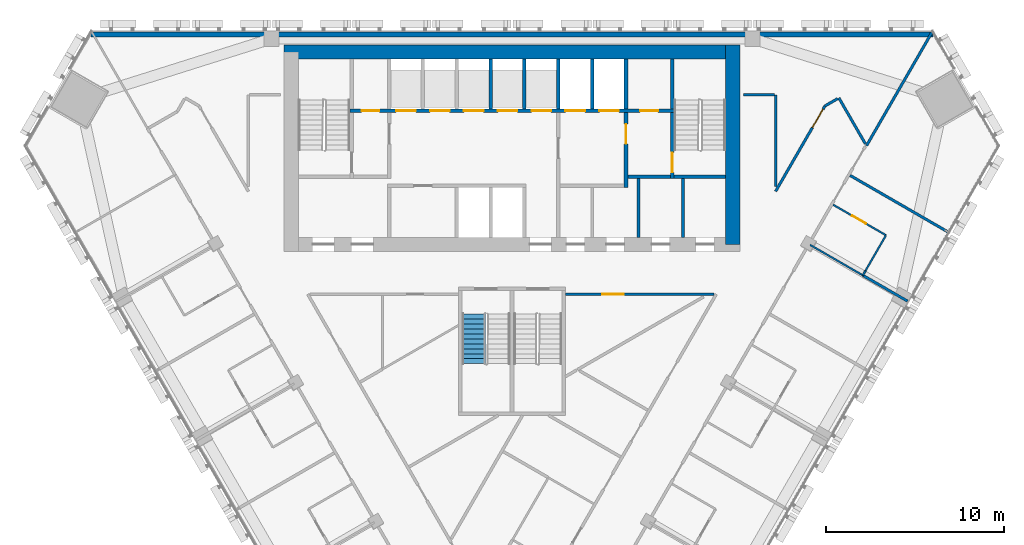
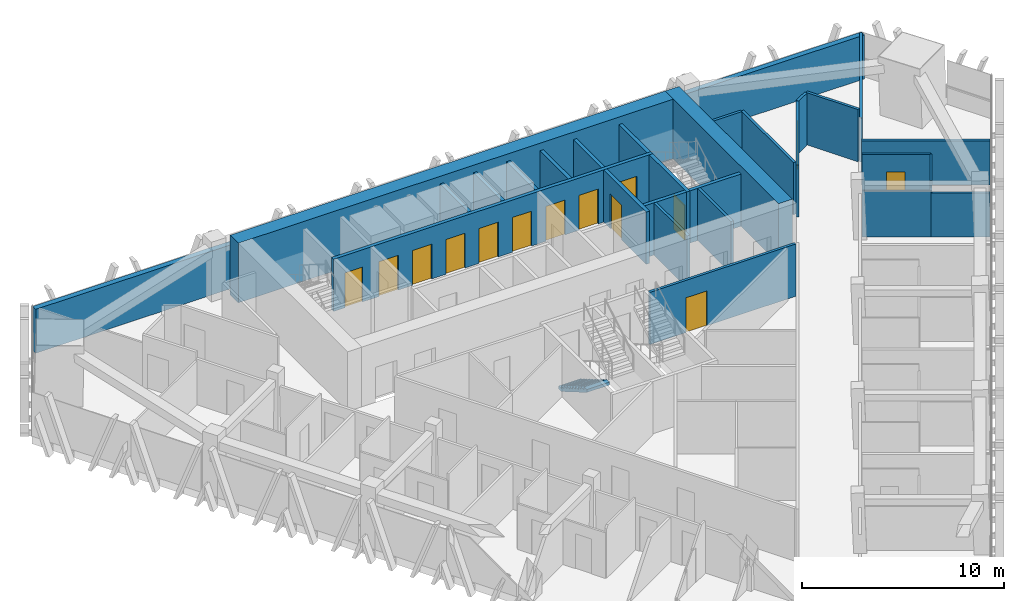
# One storey, part 12 of 16: 29 walls, 14 doors, 1 stair flight, 14 openings, 1 element without a shape of its own.
"""IFC4 building model written with IfcOpenShell, lengths in metres."""

from ifc_helpers import new_model, si_unit, direction, frame, frame_2d, origin, place, context, subcontext, project, spatial, polyline, rectangle, outline, extrude, material, layer, layer_set, type_object, element, fill, aggregate, save


model = new_model("IFC4")

# Units and contexts
model_context = context("Model", 3, precision=1e-05, world=origin(), true_north=direction((0.0, 1.0)))
body_context = subcontext(model_context, "Body", "Model", "MODEL_VIEW")
ifc_project = project(units=[si_unit("LENGTHUNIT", "METRE"), si_unit("AREAUNIT", "SQUARE_METRE"), si_unit("VOLUMEUNIT", "CUBIC_METRE"), si_unit("PLANEANGLEUNIT", "RADIAN"), si_unit("MASSUNIT", "GRAM", prefix="KILO")], contexts=[model_context])

# Site, building, storey
site_placement = place(None, origin())
site = spatial("IfcSite", under=ifc_project, at=site_placement, CompositionType="ELEMENT")
building_placement = place(site_placement, origin())
building = spatial("IfcBuilding", under=site, at=building_placement, Name="Altiplano Prism Tower", CompositionType="ELEMENT")
storey_placement = place(building_placement, frame((0.0, 0.0, 145.800048828125)))
storey = spatial("IfcBuildingStorey", under=building, at=storey_placement, Name="L37", CompositionType="ELEMENT", Elevation=145.800048828125)

# Walls
ifc_material_1 = material(Name="Concrete C60/75", Category="concrete")
ifc_layer_1 = layer(ifc_material_1, 0.800048828125)
ifc_layer_set_1 = layer_set([ifc_layer_1], Name="Concrete C60/75")
wall_type_1 = type_object("IfcWallType", Name="Core wall 800", PredefinedType="SHEAR", material=ifc_layer_set_1)
wall_1_placement = place(storey_placement, frame((97.39990234375, 93.0, 0.0), z_axis=(0.0, 0.0, 1.0), x_axis=(0.0, 1.0, 0.0)))
element("IfcWall", 1, at=wall_1_placement, inside=storey, type_object=wall_type_1, Name="Core wall E L37", PredefinedType="SHEAR", context=body_context, shape_type="SweptSolid", body=[
    extrude(rectangle(XDim=11.199951171875, YDim=0.800048828125, at=frame_2d((5.60009765625, 0.0))), origin(), (0.0, 0.0, 1.0), 3.599853515625),
])
wall_2_placement = place(storey_placement, frame((97.39990234375, 103.800048828125, 0.0), z_axis=(0.0, 0.0, 1.0), x_axis=(-1.0, 0.0, 0.0)))
element("IfcWall", 2, at=wall_2_placement, inside=storey, type_object=wall_type_1, Name="Core wall N L37", PredefinedType="SHEAR", context=body_context, shape_type="SweptSolid", body=[
    extrude(rectangle(XDim=25.199951171875, YDim=0.800048828125, at=frame_2d((12.60009765625, 0.0))), origin(), (0.0, 0.0, 1.0), 3.599853515625),
])

# Wall, opening, door
ifc_material_2 = material(Name="Plasterboard on steel stud", Category="steel")
ifc_layer_2 = layer(ifc_material_2, 0.10009765625)
ifc_layer_set_2 = layer_set([ifc_layer_2], Name="Plasterboard on steel stud")
wall_type_2 = type_object("IfcWallType", Name="Partition 100 unit", PredefinedType="PARTITIONING", material=ifc_layer_set_2)
wall_3_placement = place(storey_placement, frame((103.03271484375, 95.2275390625, 0.0), z_axis=(0.0, 0.0, 1.0), x_axis=(0.866032454348, -0.499987787867, 0.0)))
wall_3 = element("IfcWall", 3, at=wall_3_placement, inside=storey, type_object=wall_type_2, Name="Partition P02 L37 073", PredefinedType="PARTITIONING", context=body_context, shape_type="SweptSolid", body=[
    extrude(rectangle(XDim=3.4248046875, YDim=0.10009765625, at=frame_2d((1.71240234375, 0.0))), origin(), (0.0, 0.0, 1.0), 3.14990234375),
])
opening_1_placement = place(wall_3_placement, frame((1.22509765625, 0.0, 0.0)))
opening_1 = element("IfcOpeningElement", 4, at=opening_1_placement, cuts=wall_3, Name="Opening D1365", PredefinedType="OPENING", context=body_context, shape_type="SweptSolid", body=[
    extrude(rectangle(XDim=0.89990234375, YDim=2.10009765625, at=frame_2d((0.449951171875, 1.050048828125))), frame((0.0, 0.060546875, 0.0), z_axis=(0.0, -1.0, 0.0), x_axis=(1.0, 0.0, 0.0)), (0.0, 0.0, 1.0), 0.12109375),
])
ifc_material_3 = material(Name="Timber", Category="wood")
door_type_1 = type_object("IfcDoorType", Name="Accessible ensuite door 900 x 2100", OperationType="NOTDEFINED", PredefinedType="NOTDEFINED", material=ifc_material_3)
door_1_placement = place(opening_1_placement, origin())
door_1 = element("IfcDoor", 5, at=door_1_placement, inside=storey, type_object=door_type_1, Name="Door D1365", OperationType="SINGLE_SWING_RIGHT", OverallHeight=2.10009765625, OverallWidth=0.89990234375, PredefinedType="NOTDEFINED", context=body_context, shape_type="SweptSolid", body=[
    extrude(rectangle(XDim=0.89990234375, YDim=2.10009765625, at=frame_2d((0.449951171875, 1.050048828125))), frame((0.0, 0.02490234375, 0.0), z_axis=(0.0, -1.0, 0.0), x_axis=(1.0, 0.0, 0.0)), (0.0, 0.0, 1.0), 0.050048828125),
])
fill(opening_1, door_1)

# Walls
wall_4_placement = place(storey_placement, frame((105.998779296875, 93.51513671875, 0.0), z_axis=(0.0, 0.0, 1.0), x_axis=(-0.499952165731, -0.866053019151, 0.0)))
element("IfcWall", 6, at=wall_4_placement, inside=storey, type_object=wall_type_2, Name="Partition P02 L37 074", PredefinedType="PARTITIONING", context=body_context, shape_type="SweptSolid", body=[
    extrude(rectangle(XDim=2.300048828125, YDim=0.10009765625, at=frame_2d((1.14990234375, 0.0))), origin(), (0.0, 0.0, 1.0), 3.14990234375),
])
wall_5_placement = place(storey_placement, frame((104.848876953125, 91.523193359375, 0.0), z_axis=(0.0, 0.0, 1.0), x_axis=(-0.500426713919, -0.865778900179, 0.0)))
element("IfcWall", 7, at=wall_5_placement, inside=storey, type_object=wall_type_2, Name="Partition P02 L37 075", PredefinedType="PARTITIONING", context=body_context, shape_type="SweptSolid", body=[
    extrude(rectangle(XDim=0.300048828125, YDim=0.10009765625, at=frame_2d((0.14990234375, 0.0))), origin(), (0.0, 0.0, 1.0), 2.75),
])
ifc_layer_3 = layer(ifc_material_2, 0.10009765625)
ifc_layer_set_3 = layer_set([ifc_layer_3], Name="Plasterboard on steel stud")
wall_type_3 = type_object("IfcWallType", Name="Partition 100 wet", PredefinedType="PARTITIONING", material=ifc_layer_set_3)
wall_6_placement = place(storey_placement, frame((104.69873046875, 91.263427734375, 0.0), z_axis=(0.0, 0.0, 1.0), x_axis=(-0.866032454348, 0.499987787867, 0.0)))
element("IfcWall", 8, at=wall_6_placement, inside=storey, type_object=wall_type_3, Name="Partition P03 L37 072", PredefinedType="PARTITIONING", context=body_context, shape_type="SweptSolid", body=[
    extrude(rectangle(XDim=3.4248046875, YDim=0.10009765625, at=frame_2d((1.71240234375, 0.0))), origin(), (0.0, 0.0, 1.0), 2.75),
])
ifc_layer_4 = layer(ifc_material_2, 0.14990234375)
ifc_layer_set_4 = layer_set([ifc_layer_4], Name="Plasterboard on steel stud")
wall_type_4 = type_object("IfcWallType", Name="Partition 150 corridor", PredefinedType="PARTITIONING", material=ifc_layer_set_4)
wall_7_placement = place(storey_placement, frame((104.8388671875, 98.65185546875, 0.0), z_axis=(0.0, 0.0, 1.0), x_axis=(-0.500002315714, 0.866024066802, 0.0)))
element("IfcWall", 9, at=wall_7_placement, inside=storey, type_object=wall_type_4, Name="Partition P06 L37 007", PredefinedType="PARTITIONING", context=body_context, shape_type="SweptSolid", body=[
    extrude(rectangle(XDim=2.97021484375, YDim=0.14990234375, at=frame_2d((1.485107421875, 0.0))), origin(), (0.0, 0.0, 1.0), 3.14990234375),
])
wall_8_placement = place(storey_placement, frame((103.288818359375, 101.1865234375, 0.0), z_axis=(0.0, 0.0, 1.0), x_axis=(-0.866019930389, -0.500009480079, 0.0)))
element("IfcWall", 10, at=wall_8_placement, inside=storey, type_object=wall_type_4, Name="Partition P06 L37 008", PredefinedType="PARTITIONING", context=body_context, shape_type="SweptSolid", body=[
    extrude(rectangle(XDim=0.83447265625, YDim=0.14990234375, at=frame_2d((0.417236328125, 0.0))), origin(), (0.0, 0.0, 1.0), 3.14990234375),
])

# Wall, opening, door
wall_9_placement = place(storey_placement, frame((102.566162109375, 100.769287109375, 0.0), z_axis=(0.0, 0.0, 1.0), x_axis=(-0.500002592159, -0.866023907196, 0.0)))
wall_9 = element("IfcWall", 11, at=wall_9_placement, inside=storey, type_object=wall_type_4, Name="Partition P06 L37 009", PredefinedType="PARTITIONING", context=body_context, shape_type="SweptSolid", body=[
    extrude(rectangle(XDim=5.5322265625, YDim=0.14990234375, at=frame_2d((2.76611328125, 0.0))), origin(), (0.0, 0.0, 1.0), 3.14990234375),
])
opening_2_placement = place(wall_9_placement, frame((0.199951171875, 0.0, 0.0)))
opening_2 = element("IfcOpeningElement", 12, at=opening_2_placement, cuts=wall_9, Name="Opening D1367", PredefinedType="OPENING", context=body_context, shape_type="SweptSolid", body=[
    extrude(rectangle(XDim=1.199951171875, YDim=2.10009765625, at=frame_2d((0.60009765625, 1.050048828125))), frame((0.0, 0.08544921875, 0.0), z_axis=(0.0, -1.0, 0.0), x_axis=(1.0, 0.0, 0.0)), (0.0, 0.0, 1.0), 0.1708984375),
])
door_type_2 = type_object("IfcDoorType", Name="Shared room door 1200 x 2100", OperationType="NOTDEFINED", PredefinedType="NOTDEFINED", material=ifc_material_3)
door_2_placement = place(opening_2_placement, origin())
door_2 = element("IfcDoor", 13, at=door_2_placement, inside=storey, type_object=door_type_2, Name="Door D1367", OperationType="SINGLE_SWING_RIGHT", OverallHeight=2.10009765625, OverallWidth=1.199951171875, PredefinedType="NOTDEFINED", context=body_context, shape_type="SweptSolid", body=[
    extrude(rectangle(XDim=1.199951171875, YDim=2.10009765625, at=frame_2d((0.60009765625, 1.050048828125))), frame((0.0, 0.02490234375, 0.0), z_axis=(0.0, -1.0, 0.0), x_axis=(1.0, 0.0, 0.0)), (0.0, 0.0, 1.0), 0.050048828125),
])
fill(opening_2, door_2)

# Walls
wall_10_placement = place(storey_placement, frame((99.800048828125, 96.25830078125, 0.0), z_axis=(0.0, 0.0, 1.0), x_axis=(0.0, 1.0, 0.0)))
element("IfcWall", 14, at=wall_10_placement, inside=storey, type_object=wall_type_4, Name="Partition P06 L37 010", PredefinedType="PARTITIONING", context=body_context, shape_type="SweptSolid", body=[
    extrude(rectangle(XDim=5.1416015625, YDim=0.14990234375, at=frame_2d((2.57080078125, 0.0))), origin(), (0.0, 0.0, 1.0), 3.14990234375),
])
wall_11_placement = place(storey_placement, frame((99.72509765625, 101.39990234375, 0.0), z_axis=(0.0, 0.0, 1.0), x_axis=(-1.0, 0.0, 0.0)))
element("IfcWall", 15, at=wall_11_placement, inside=storey, type_object=wall_type_4, Name="Partition P06 L37 011", PredefinedType="PARTITIONING", context=body_context, shape_type="SweptSolid", body=[
    extrude(rectangle(XDim=1.72509765625, YDim=0.14990234375, at=frame_2d((0.862548828125, 0.0))), origin(), (0.0, 0.0, 1.0), 3.14990234375),
])

# Wall, opening, door
wall_12_placement = place(storey_placement, frame((88.0, 90.199951171875, 0.0), z_axis=(0.0, 0.0, 1.0), x_axis=(1.0, 0.0, 0.0)))
wall_12 = element("IfcWall", 16, at=wall_12_placement, inside=storey, type_object=wall_type_4, Name="Partition P06 L37 018", PredefinedType="PARTITIONING", context=body_context, shape_type="SweptSolid", body=[
    extrude(rectangle(XDim=8.333984375, YDim=0.14990234375, at=frame_2d((4.1669921875, 0.0))), origin(), (0.0, 0.0, 1.0), 3.14990234375),
])
opening_3_placement = place(wall_12_placement, frame((2.068115234375, 0.0, 0.0)))
opening_3 = element("IfcOpeningElement", 17, at=opening_3_placement, cuts=wall_12, Name="Opening D1372", PredefinedType="OPENING", context=body_context, shape_type="SweptSolid", body=[
    extrude(rectangle(XDim=1.199951171875, YDim=2.10009765625, at=frame_2d((0.60009765625, 1.050048828125))), frame((0.0, 0.08544921875, 0.0), z_axis=(0.0, -1.0, 0.0), x_axis=(1.0, 0.0, 0.0)), (0.0, 0.0, 1.0), 0.1708984375),
])
door_3_placement = place(opening_3_placement, origin())
door_3 = element("IfcDoor", 18, at=door_3_placement, inside=storey, type_object=door_type_2, Name="Door D1372", OperationType="SINGLE_SWING_RIGHT", OverallHeight=2.10009765625, OverallWidth=1.199951171875, PredefinedType="NOTDEFINED", context=body_context, shape_type="SweptSolid", body=[
    extrude(rectangle(XDim=1.199951171875, YDim=2.10009765625, at=frame_2d((0.60009765625, 1.050048828125))), frame((0.0, 0.02490234375, 0.0), z_axis=(0.0, -1.0, 0.0), x_axis=(1.0, 0.0, 0.0)), (0.0, 0.0, 1.0), 0.050048828125),
])
fill(opening_3, door_3)

# Walls
ifc_layer_5 = layer(ifc_material_2, 0.14990234375)
ifc_layer_set_5 = layer_set([ifc_layer_5], Name="Plasterboard on steel stud")
wall_type_5 = type_object("IfcWallType", Name="Partition 150 party", PredefinedType="PARTITIONING", material=ifc_layer_set_5)
wall_13_placement = place(storey_placement, frame((107.210205078125, 89.8134765625, 0.0), z_axis=(0.0, 0.0, 1.0), x_axis=(-0.866032775405, 0.499987231761, 0.0)))
element("IfcWall", 19, at=wall_13_placement, inside=storey, type_object=wall_type_5, Name="Partition P01 L37 071", PredefinedType="PARTITIONING", context=body_context, shape_type="SweptSolid", body=[
    extrude(rectangle(XDim=2.89990234375, YDim=0.14990234375, at=frame_2d((1.449951171875, 0.0))), origin(), (0.0, 0.0, 1.0), 2.64990234375),
])
wall_14_placement = place(storey_placement, frame((109.477783203125, 93.700439453125, 0.0), z_axis=(0.0, 0.0, 1.0), x_axis=(-0.866025401434, 0.500000004071, 0.0)))
element("IfcWall", 20, at=wall_14_placement, inside=storey, type_object=wall_type_5, Name="Partition P01 L37 076", PredefinedType="PARTITIONING", context=body_context, shape_type="SweptSolid", body=[
    extrude(rectangle(XDim=6.34521484375, YDim=0.14990234375, at=frame_2d((3.172607421875, 0.0))), origin(), (0.0, 0.0, 1.0), 2.64990234375),
])
wall_15_placement = place(storey_placement, frame((108.575927734375, 104.89990234375, 0.0), z_axis=(0.0, 0.0, 1.0), x_axis=(-0.4999967785, -0.866027263711, 0.0)))
element("IfcWall", 21, at=wall_15_placement, inside=storey, type_object=wall_type_5, Name="Partition P01 L37 077", PredefinedType="PARTITIONING", context=body_context, shape_type="SweptSolid", body=[
    extrude(rectangle(XDim=7.34423828125, YDim=0.14990234375, at=frame_2d((3.672119140625, 0.0))), origin(), (0.0, 0.0, 1.0), 2.64990234375),
])
ifc_material_4 = material(Name="Fire-rated gypsum board partition")
ifc_layer_6 = layer(ifc_material_4, 0.14990234375)
ifc_layer_set_6 = layer_set([ifc_layer_6], Name="Fire-rated gypsum board partition")
wall_type_6 = type_object("IfcWallType", Name="Room partition 150", PredefinedType="PARTITIONING", material=ifc_layer_set_6)
for number, where, z_axis, x_axis, name in (
    (22, (92.10009765625, 93.39990234375, 0.0), (0.0, 0.0, 1.0), (0.0, 1.0, 0.0), "Room partition L37"),
    (23, (94.60009765625, 93.39990234375, 0.0), (0.0, 0.0, 1.0), (0.0, 1.0, 0.0), "Room partition L37"),
):
    element("IfcWall", number, at=place(storey_placement, frame(where, z_axis=z_axis, x_axis=x_axis)), inside=storey, type_object=wall_type_6, Name=name, PredefinedType="PARTITIONING", context=body_context, shape_type="SweptSolid", body=[
        extrude(rectangle(XDim=3.300048828125, YDim=0.14990234375, at=frame_2d((1.64990234375, 0.0))), origin(), (0.0, 0.0, 1.0), 3.14990234375),
    ])
ifc_layer_7 = layer(ifc_material_1, 0.199951171875)
ifc_layer_set_7 = layer_set([ifc_layer_7], Name="Concrete C60/75")
wall_type_7 = type_object("IfcWallType", Name="Shaft wall 200", PredefinedType="SOLIDWALL", material=ifc_layer_set_7)
for number, where, z_axis, x_axis, name in (
    (24, (83.800048828125, 100.60009765625, 0.0), (0.0, 0.0, 1.0), (0.0, 1.0, 0.0), "Shaft wall L37"),
    (25, (85.699951171875, 100.60009765625, 0.0), (0.0, 0.0, 1.0), (0.0, 1.0, 0.0), "Shaft wall L37"),
    (26, (87.60009765625, 100.60009765625, 0.0), (0.0, 0.0, 1.0), (0.0, 1.0, 0.0), "Shaft wall L37"),
    (27, (89.5, 100.60009765625, 0.0), (0.0, 0.0, 1.0), (0.0, 1.0, 0.0), "Shaft wall L37"),
    (28, (91.39990234375, 100.60009765625, 0.0), (0.0, 0.0, 1.0), (0.0, 1.0, 0.0), "Shaft wall L37"),
):
    element("IfcWall", number, at=place(storey_placement, frame(where, z_axis=z_axis, x_axis=x_axis)), inside=storey, type_object=wall_type_7, Name=name, PredefinedType="SOLIDWALL", context=body_context, shape_type="SweptSolid", body=[
        extrude(rectangle(XDim=2.7998046875, YDim=0.199951171875, at=frame_2d((1.39990234375, 0.0))), origin(), (0.0, 0.0, 1.0), 3.14990234375),
    ])

# Wall, opening, door
ifc_layer_8 = layer(ifc_material_1, 0.199951171875)
ifc_layer_set_8 = layer_set([ifc_layer_8], Name="Concrete C60/75")
wall_type_8 = type_object("IfcWallType", Name="Stair wall 200", PredefinedType="SOLIDWALL", material=ifc_layer_set_8)
wall_16_placement = place(storey_placement, frame((94.0, 96.699951171875, 0.0), z_axis=(0.0, 0.0, 1.0), x_axis=(0.0, 1.0, 0.0)))
wall_16 = element("IfcWall", 29, at=wall_16_placement, inside=storey, type_object=wall_type_8, Name="Stair wall L37", PredefinedType="SOLIDWALL", context=body_context, shape_type="SweptSolid", body=[
    extrude(rectangle(XDim=3.699951171875, YDim=0.199951171875, at=frame_2d((1.85009765625, 0.0))), origin(), (0.0, 0.0, 1.0), 3.14990234375),
])
opening_4_placement = place(wall_16_placement, frame((0.35009765625, 0.0, 0.0)))
opening_4 = element("IfcOpeningElement", 30, at=opening_4_placement, cuts=wall_16, Name="Opening D3083", PredefinedType="OPENING", context=body_context, shape_type="SweptSolid", body=[
    extrude(rectangle(XDim=1.10009765625, YDim=2.10009765625, at=frame_2d((0.550048828125, 1.050048828125))), frame((0.0, 0.1103515625, 0.0), z_axis=(0.0, -1.0, 0.0), x_axis=(1.0, 0.0, 0.0)), (0.0, 0.0, 1.0), 0.220947265625),
])
ifc_material_5 = material(Name="Fire-rated steel door", Category="steel")
door_type_3 = type_object("IfcDoorType", Name="Stair fire door 1100 x 2100", OperationType="NOTDEFINED", PredefinedType="NOTDEFINED", material=ifc_material_5)
door_4_placement = place(opening_4_placement, origin())
door_4 = element("IfcDoor", 31, at=door_4_placement, inside=storey, type_object=door_type_3, Name="Stair fire door D3083", OperationType="SINGLE_SWING_LEFT", OverallHeight=2.10009765625, OverallWidth=1.10009765625, PredefinedType="NOTDEFINED", context=body_context, shape_type="SweptSolid", body=[
    extrude(rectangle(XDim=1.10009765625, YDim=2.10009765625, at=frame_2d((0.550048828125, 1.050048828125))), frame((0.0, 0.02490234375, 0.0), z_axis=(0.0, -1.0, 0.0), x_axis=(1.0, 0.0, 0.0)), (0.0, 0.0, 1.0), 0.050048828125),
])
fill(opening_4, door_4)

# Wall
wall_17_placement = place(storey_placement, frame((94.10009765625, 96.800048828125, 0.0), z_axis=(0.0, 0.0, 1.0), x_axis=(1.0, 0.0, 0.0)))
element("IfcWall", 32, at=wall_17_placement, inside=storey, type_object=wall_type_8, Name="Stair wall L37", PredefinedType="SOLIDWALL", context=body_context, shape_type="SweptSolid", body=[
    extrude(rectangle(XDim=2.89990234375, YDim=0.199951171875, at=frame_2d((1.449951171875, 0.0))), origin(), (0.0, 0.0, 1.0), 3.14990234375),
])

# Wall, openings, doors
wall_18_placement = place(storey_placement, frame((75.89990234375, 100.5, 0.0), z_axis=(0.0, 0.0, 1.0), x_axis=(1.0, 0.0, 0.0)))
wall_18 = element("IfcWall", 33, at=wall_18_placement, inside=storey, type_object=wall_type_8, Name="Stair wall L37", PredefinedType="SOLIDWALL", context=body_context, shape_type="SweptSolid", body=[
    extrude(rectangle(XDim=18.2001953125, YDim=0.199951171875, at=frame_2d((9.10009765625, 0.0))), origin(), (0.0, 0.0, 1.0), 3.14990234375),
])
opening_5_placement = place(wall_18_placement, frame((2.60009765625, 0.0, 0.0)))
opening_5 = element("IfcOpeningElement", 34, at=opening_5_placement, cuts=wall_18, Name="Opening LD-ML1-L37", PredefinedType="OPENING", context=body_context, shape_type="SweptSolid", body=[
    extrude(rectangle(XDim=1.10009765625, YDim=2.10009765625, at=frame_2d((0.550048828125, 1.050048828125))), frame((0.0, 0.1103515625, 0.0), z_axis=(0.0, -1.0, 0.0), x_axis=(1.0, 0.0, 0.0)), (0.0, 0.0, 1.0), 0.220947265625),
])
opening_6_placement = place(wall_18_placement, frame((4.5, 0.0, 0.0)))
opening_6 = element("IfcOpeningElement", 35, at=opening_6_placement, cuts=wall_18, Name="Opening LD-ML2-L37", PredefinedType="OPENING", context=body_context, shape_type="SweptSolid", body=[
    extrude(rectangle(XDim=1.10009765625, YDim=2.10009765625, at=frame_2d((0.550048828125, 1.050048828125))), frame((0.0, 0.1103515625, 0.0), z_axis=(0.0, -1.0, 0.0), x_axis=(1.0, 0.0, 0.0)), (0.0, 0.0, 1.0), 0.220947265625),
])
opening_7_placement = place(wall_18_placement, frame((6.39990234375, 0.0, 0.0)))
opening_7 = element("IfcOpeningElement", 36, at=opening_7_placement, cuts=wall_18, Name="Opening LD-ML3-L37", PredefinedType="OPENING", context=body_context, shape_type="SweptSolid", body=[
    extrude(rectangle(XDim=1.10009765625, YDim=2.10009765625, at=frame_2d((0.550048828125, 1.050048828125))), frame((0.0, 0.1103515625, 0.0), z_axis=(0.0, -1.0, 0.0), x_axis=(1.0, 0.0, 0.0)), (0.0, 0.0, 1.0), 0.220947265625),
])
opening_8_placement = place(wall_18_placement, frame((8.300048828125, 0.0, 0.0)))
opening_8 = element("IfcOpeningElement", 37, at=opening_8_placement, cuts=wall_18, Name="Opening LD-ML4-L37", PredefinedType="OPENING", context=body_context, shape_type="SweptSolid", body=[
    extrude(rectangle(XDim=1.10009765625, YDim=2.10009765625, at=frame_2d((0.550048828125, 1.050048828125))), frame((0.0, 0.1103515625, 0.0), z_axis=(0.0, -1.0, 0.0), x_axis=(1.0, 0.0, 0.0)), (0.0, 0.0, 1.0), 0.220947265625),
])
opening_9_placement = place(wall_18_placement, frame((10.199951171875, 0.0, 0.0)))
opening_9 = element("IfcOpeningElement", 38, at=opening_9_placement, cuts=wall_18, Name="Opening LD-ML5-L37", PredefinedType="OPENING", context=body_context, shape_type="SweptSolid", body=[
    extrude(rectangle(XDim=1.10009765625, YDim=2.10009765625, at=frame_2d((0.550048828125, 1.050048828125))), frame((0.0, 0.1103515625, 0.0), z_axis=(0.0, -1.0, 0.0), x_axis=(1.0, 0.0, 0.0)), (0.0, 0.0, 1.0), 0.220947265625),
])
opening_10_placement = place(wall_18_placement, frame((12.10009765625, 0.0, 0.0)))
opening_10 = element("IfcOpeningElement", 39, at=opening_10_placement, cuts=wall_18, Name="Opening LD-FF1-L37", PredefinedType="OPENING", context=body_context, shape_type="SweptSolid", body=[
    extrude(rectangle(XDim=1.10009765625, YDim=2.10009765625, at=frame_2d((0.550048828125, 1.050048828125))), frame((0.0, 0.1103515625, 0.0), z_axis=(0.0, -1.0, 0.0), x_axis=(1.0, 0.0, 0.0)), (0.0, 0.0, 1.0), 0.220947265625),
])
opening_11_placement = place(wall_18_placement, frame((14.0, 0.0, 0.0)))
opening_11 = element("IfcOpeningElement", 40, at=opening_11_placement, cuts=wall_18, Name="Opening LD-FF2-L37", PredefinedType="OPENING", context=body_context, shape_type="SweptSolid", body=[
    extrude(rectangle(XDim=1.10009765625, YDim=2.10009765625, at=frame_2d((0.550048828125, 1.050048828125))), frame((0.0, 0.1103515625, 0.0), z_axis=(0.0, -1.0, 0.0), x_axis=(1.0, 0.0, 0.0)), (0.0, 0.0, 1.0), 0.220947265625),
])
opening_12_placement = place(wall_18_placement, frame((0.64990234375, 0.0, 0.0)))
opening_12 = element("IfcOpeningElement", 41, at=opening_12_placement, cuts=wall_18, Name="Opening D3090", PredefinedType="OPENING", context=body_context, shape_type="SweptSolid", body=[
    extrude(rectangle(XDim=1.0, YDim=2.10009765625, at=frame_2d((0.5, 1.050048828125))), frame((0.0, 0.1103515625, 0.0), z_axis=(0.0, -1.0, 0.0), x_axis=(1.0, 0.0, 0.0)), (0.0, 0.0, 1.0), 0.220947265625),
])
opening_13_placement = place(wall_18_placement, frame((16.300048828125, 0.0, 0.0)))
opening_13 = element("IfcOpeningElement", 42, at=opening_13_placement, cuts=wall_18, Name="Opening D3091", PredefinedType="OPENING", context=body_context, shape_type="SweptSolid", body=[
    extrude(rectangle(XDim=1.0, YDim=2.10009765625, at=frame_2d((0.5, 1.050048828125))), frame((0.0, 0.1103515625, 0.0), z_axis=(0.0, -1.0, 0.0), x_axis=(1.0, 0.0, 0.0)), (0.0, 0.0, 1.0), 0.220947265625),
])
door_type_4 = type_object("IfcDoorType", Name="Core room door 1000 x 2100", OperationType="NOTDEFINED", PredefinedType="NOTDEFINED", material=ifc_material_5)
door_5_placement = place(opening_12_placement, origin())
door_5 = element("IfcDoor", 43, at=door_5_placement, inside=storey, type_object=door_type_4, Name="Core room door D3090", OperationType="SINGLE_SWING_LEFT", OverallHeight=2.10009765625, OverallWidth=1.0, PredefinedType="NOTDEFINED", context=body_context, shape_type="SweptSolid", body=[
    extrude(rectangle(XDim=1.0, YDim=2.10009765625, at=frame_2d((0.5, 1.050048828125))), frame((0.0, 0.02490234375, 0.0), z_axis=(0.0, -1.0, 0.0), x_axis=(1.0, 0.0, 0.0)), (0.0, 0.0, 1.0), 0.050048828125),
])
fill(opening_12, door_5)
door_6_placement = place(opening_13_placement, origin())
door_6 = element("IfcDoor", 44, at=door_6_placement, inside=storey, type_object=door_type_4, Name="Core room door D3091", OperationType="SINGLE_SWING_RIGHT", OverallHeight=2.10009765625, OverallWidth=1.0, PredefinedType="NOTDEFINED", context=body_context, shape_type="SweptSolid", body=[
    extrude(rectangle(XDim=1.0, YDim=2.10009765625, at=frame_2d((0.5, 1.050048828125))), frame((0.0, 0.02490234375, 0.0), z_axis=(0.0, -1.0, 0.0), x_axis=(1.0, 0.0, 0.0)), (0.0, 0.0, 1.0), 0.050048828125),
])
fill(opening_13, door_6)
ifc_material_6 = material(Name="Stainless steel landing door", Category="steel")
door_type_5 = type_object("IfcDoorType", Name="Landing door 1100 x 2100", OperationType="NOTDEFINED", PredefinedType="NOTDEFINED", material=ifc_material_6)
door_7_placement = place(opening_5_placement, origin())
door_7 = element("IfcDoor", 45, at=door_7_placement, inside=storey, type_object=door_type_5, Name="Landing doors ML1", OperationType="SLIDING_TO_RIGHT", OverallHeight=2.10009765625, OverallWidth=1.10009765625, PredefinedType="NOTDEFINED", context=body_context, shape_type="SweptSolid", body=[
    extrude(rectangle(XDim=1.10009765625, YDim=2.10009765625, at=frame_2d((0.550048828125, 1.050048828125))), frame((0.0, 0.02490234375, 0.0), z_axis=(0.0, -1.0, 0.0), x_axis=(1.0, 0.0, 0.0)), (0.0, 0.0, 1.0), 0.050048828125),
])
fill(opening_5, door_7)
door_8_placement = place(opening_6_placement, origin())
door_8 = element("IfcDoor", 46, at=door_8_placement, inside=storey, type_object=door_type_5, Name="Landing doors ML2", OperationType="SLIDING_TO_LEFT", OverallHeight=2.10009765625, OverallWidth=1.10009765625, PredefinedType="NOTDEFINED", context=body_context, shape_type="SweptSolid", body=[
    extrude(rectangle(XDim=1.10009765625, YDim=2.10009765625, at=frame_2d((0.550048828125, 1.050048828125))), frame((0.0, 0.02490234375, 0.0), z_axis=(0.0, -1.0, 0.0), x_axis=(1.0, 0.0, 0.0)), (0.0, 0.0, 1.0), 0.050048828125),
])
fill(opening_6, door_8)
door_9_placement = place(opening_7_placement, origin())
door_9 = element("IfcDoor", 47, at=door_9_placement, inside=storey, type_object=door_type_5, Name="Landing doors ML3", OperationType="SLIDING_TO_RIGHT", OverallHeight=2.10009765625, OverallWidth=1.10009765625, PredefinedType="NOTDEFINED", context=body_context, shape_type="SweptSolid", body=[
    extrude(rectangle(XDim=1.10009765625, YDim=2.10009765625, at=frame_2d((0.550048828125, 1.050048828125))), frame((0.0, 0.02490234375, 0.0), z_axis=(0.0, -1.0, 0.0), x_axis=(1.0, 0.0, 0.0)), (0.0, 0.0, 1.0), 0.050048828125),
])
fill(opening_7, door_9)
door_10_placement = place(opening_8_placement, origin())
door_10 = element("IfcDoor", 48, at=door_10_placement, inside=storey, type_object=door_type_5, Name="Landing doors ML4", OperationType="SLIDING_TO_LEFT", OverallHeight=2.10009765625, OverallWidth=1.10009765625, PredefinedType="NOTDEFINED", context=body_context, shape_type="SweptSolid", body=[
    extrude(rectangle(XDim=1.10009765625, YDim=2.10009765625, at=frame_2d((0.550048828125, 1.050048828125))), frame((0.0, 0.02490234375, 0.0), z_axis=(0.0, -1.0, 0.0), x_axis=(1.0, 0.0, 0.0)), (0.0, 0.0, 1.0), 0.050048828125),
])
fill(opening_8, door_10)
door_11_placement = place(opening_9_placement, origin())
door_11 = element("IfcDoor", 49, at=door_11_placement, inside=storey, type_object=door_type_5, Name="Landing doors ML5", OperationType="SLIDING_TO_RIGHT", OverallHeight=2.10009765625, OverallWidth=1.10009765625, PredefinedType="NOTDEFINED", context=body_context, shape_type="SweptSolid", body=[
    extrude(rectangle(XDim=1.10009765625, YDim=2.10009765625, at=frame_2d((0.550048828125, 1.050048828125))), frame((0.0, 0.02490234375, 0.0), z_axis=(0.0, -1.0, 0.0), x_axis=(1.0, 0.0, 0.0)), (0.0, 0.0, 1.0), 0.050048828125),
])
fill(opening_9, door_11)
door_12_placement = place(opening_10_placement, origin())
door_12 = element("IfcDoor", 50, at=door_12_placement, inside=storey, type_object=door_type_5, Name="Landing doors FF1", OperationType="SLIDING_TO_RIGHT", OverallHeight=2.10009765625, OverallWidth=1.10009765625, PredefinedType="NOTDEFINED", context=body_context, shape_type="SweptSolid", body=[
    extrude(rectangle(XDim=1.10009765625, YDim=2.10009765625, at=frame_2d((0.550048828125, 1.050048828125))), frame((0.0, 0.02490234375, 0.0), z_axis=(0.0, -1.0, 0.0), x_axis=(1.0, 0.0, 0.0)), (0.0, 0.0, 1.0), 0.050048828125),
])
fill(opening_10, door_12)
door_13_placement = place(opening_11_placement, origin())
door_13 = element("IfcDoor", 51, at=door_13_placement, inside=storey, type_object=door_type_5, Name="Landing doors FF2", OperationType="SLIDING_TO_LEFT", OverallHeight=2.10009765625, OverallWidth=1.10009765625, PredefinedType="NOTDEFINED", context=body_context, shape_type="SweptSolid", body=[
    extrude(rectangle(XDim=1.10009765625, YDim=2.10009765625, at=frame_2d((0.550048828125, 1.050048828125))), frame((0.0, 0.02490234375, 0.0), z_axis=(0.0, -1.0, 0.0), x_axis=(1.0, 0.0, 0.0)), (0.0, 0.0, 1.0), 0.050048828125),
])
fill(opening_11, door_13)

# Walls
wall_19_placement = place(storey_placement, frame((94.0, 100.60009765625, 0.0), z_axis=(0.0, 0.0, 1.0), x_axis=(0.0, 1.0, 0.0)))
element("IfcWall", 52, at=wall_19_placement, inside=storey, type_object=wall_type_8, Name="Stair wall L37", PredefinedType="SOLIDWALL", context=body_context, shape_type="SweptSolid", body=[
    extrude(rectangle(XDim=2.7998046875, YDim=0.199951171875, at=frame_2d((1.39990234375, 0.0))), origin(), (0.0, 0.0, 1.0), 3.14990234375),
])
ifc_material_7 = material(Name="Concrete C40", Category="concrete")
ifc_layer_9 = layer(ifc_material_7, 0.300048828125)
ifc_layer_set_9 = layer_set([ifc_layer_9], Name="Concrete C40")
wall_type_9 = type_object("IfcWallType", Name="Stone-clad external wall 300", PredefinedType="SOLIDWALL", material=ifc_layer_set_9)
wall_20_placement = place(storey_placement, frame((61.3662109375, 104.7900390625, 0.0), z_axis=(0.0, 0.0, 1.0), x_axis=(1.0, 0.0, 0.0)))
element("IfcWall", 53, at=wall_20_placement, inside=storey, type_object=wall_type_9, Name="External wall north face L37", PredefinedType="SOLIDWALL", context=body_context, shape_type="SweptSolid", body=[
    extrude(rectangle(XDim=47.267578125, YDim=0.300048828125, at=frame_2d((23.6337890625, 0.0))), origin(), (0.0, 0.0, 1.0), 2.64990234375),
])

# Wall, opening, door
ifc_layer_10 = layer(ifc_material_1, 0.199951171875)
ifc_layer_set_10 = layer_set([ifc_layer_10], Name="Concrete C60/75")
wall_type_10 = type_object("IfcWallType", Name="Vestibule wall 200", PredefinedType="PARTITIONING", material=ifc_layer_set_10)
wall_21_placement = place(storey_placement, frame((91.39990234375, 96.199951171875, 0.0), z_axis=(0.0, 0.0, 1.0), x_axis=(0.0, 1.0, 0.0)))
wall_21 = element("IfcWall", 54, at=wall_21_placement, inside=storey, type_object=wall_type_10, Name="Vestibule wall L37", PredefinedType="PARTITIONING", context=body_context, shape_type="SweptSolid", body=[
    extrude(rectangle(XDim=4.199951171875, YDim=0.199951171875, at=frame_2d((2.10009765625, 0.0))), origin(), (0.0, 0.0, 1.0), 3.14990234375),
])
opening_14_placement = place(wall_21_placement, frame((2.449951171875, 0.0, 0.0)))
opening_14 = element("IfcOpeningElement", 55, at=opening_14_placement, cuts=wall_21, Name="Opening D3086", PredefinedType="OPENING", context=body_context, shape_type="SweptSolid", body=[
    extrude(rectangle(XDim=1.10009765625, YDim=2.10009765625, at=frame_2d((0.550048828125, 1.050048828125))), frame((0.0, 0.1103515625, 0.0), z_axis=(0.0, -1.0, 0.0), x_axis=(1.0, 0.0, 0.0)), (0.0, 0.0, 1.0), 0.220947265625),
])
door_type_6 = type_object("IfcDoorType", Name="Vestibule fire door 1100 x 2100", OperationType="NOTDEFINED", PredefinedType="NOTDEFINED", material=ifc_material_5)
door_14_placement = place(opening_14_placement, origin())
door_14 = element("IfcDoor", 56, at=door_14_placement, inside=storey, type_object=door_type_6, Name="Vestibule fire door D3086", OperationType="SINGLE_SWING_LEFT", OverallHeight=2.10009765625, OverallWidth=1.10009765625, PredefinedType="NOTDEFINED", context=body_context, shape_type="SweptSolid", body=[
    extrude(rectangle(XDim=1.10009765625, YDim=2.10009765625, at=frame_2d((0.550048828125, 1.050048828125))), frame((0.0, 0.02490234375, 0.0), z_axis=(0.0, -1.0, 0.0), x_axis=(1.0, 0.0, 0.0)), (0.0, 0.0, 1.0), 0.050048828125),
])
fill(opening_14, door_14)

# Wall
wall_22_placement = place(storey_placement, frame((91.5, 96.800048828125, 0.0), z_axis=(0.0, 0.0, 1.0), x_axis=(1.0, 0.0, 0.0)))
element("IfcWall", 57, at=wall_22_placement, inside=storey, type_object=wall_type_10, Name="Vestibule wall L37", PredefinedType="PARTITIONING", context=body_context, shape_type="SweptSolid", body=[
    extrude(rectangle(XDim=2.39990234375, YDim=0.199951171875, at=frame_2d((1.199951171875, 0.0))), origin(), (0.0, 0.0, 1.0), 3.14990234375),
])

# Stair, stair flight
ifc_material_8 = material(Name="Concrete C40/50", Category="concrete")
stair_type = type_object("IfcStairType", Name="Exit stair 1300", PredefinedType="HALF_TURN_STAIR", material=ifc_material_8)
stair_placement = place(storey_placement, origin())
stair = element("IfcStair", 58, at=stair_placement, inside=storey, type_object=stair_type, Name="L37 Exit Stair 3A", PredefinedType="HALF_TURN_STAIR")
stair_flight_type = type_object("IfcStairFlightType", Name="Stair flight concrete 150", PredefinedType="STRAIGHT", material=ifc_material_8)
stair_flight_placement = place(storey_placement, frame((82.85009765625, 89.10009765625, 0.0), z_axis=(0.0, 0.0, 1.0), x_axis=(0.0, -1.0, 0.0)))
stair_flight = element("IfcStairFlight", 59, at=stair_flight_placement, type_object=stair_flight_type, Name="ST3A flight 1", NumberOfRisers=11, NumberOfTreads=10, PredefinedType="STRAIGHT", RiserHeight=0.163636364, TreadLength=0.28, context=body_context, shape_type="SweptSolid", body=[
    extrude(outline(polyline([(0.0, 0.0), (0.0, 0.16357421875), (0.280029296875, 0.16357421875), (0.280029296875, 0.327392578125), (0.56005859375, 0.327392578125), (0.56005859375, 0.490966796875), (0.840087890625, 0.490966796875), (0.840087890625, 0.654541015625), (1.1201171875, 0.654541015625), (1.1201171875, 0.818115234375), (1.39990234375, 0.818115234375), (1.39990234375, 0.98193359375), (1.679931640625, 0.98193359375), (1.679931640625, 1.1455078125), (1.9599609375, 1.1455078125), (1.9599609375, 1.30908203125), (2.239990234375, 1.30908203125), (2.239990234375, 1.47265625), (2.52001953125, 1.47265625), (2.52001953125, 1.636474609375), (2.800048828125, 1.636474609375), (2.800048828125, 1.800048828125), (2.800048828125, 1.462646484375), (0.297119140625, 0.0), (0.0, 0.0)])), frame((0.0, 0.64990234375, 0.0), z_axis=(0.0, -1.0, 0.0), x_axis=(1.0, 0.0, 0.0)), (0.0, 0.0, 1.0), 1.300048828125),
])
aggregate(stair, [stair_flight])

save(model, "model.ifc")
